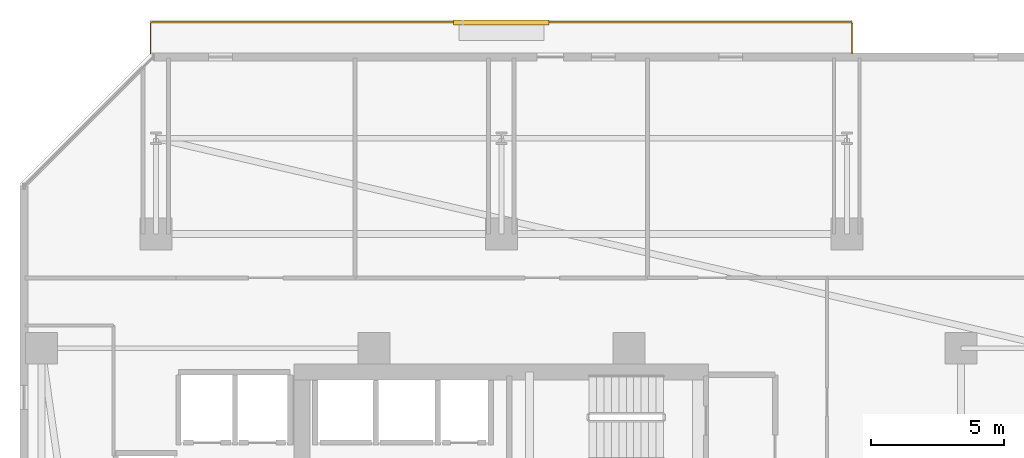
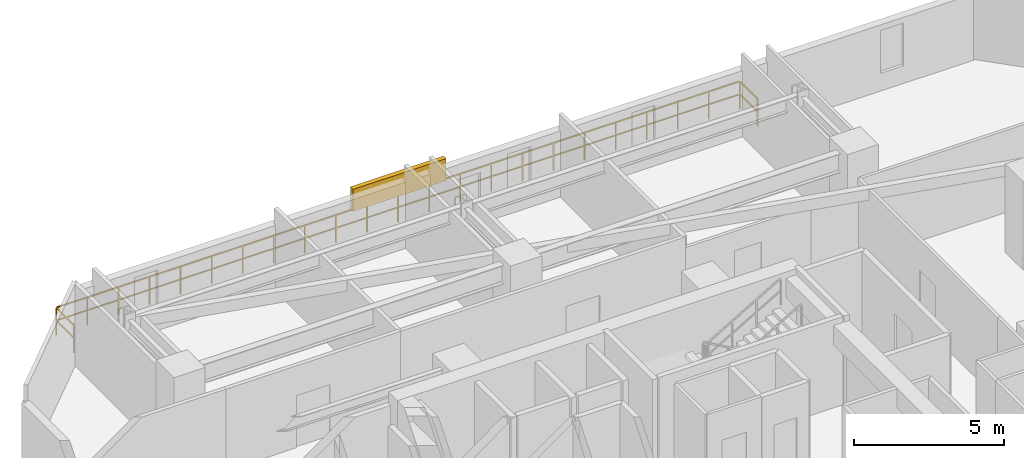
# One storey, part 29 of 31: 1 railing, 1 shading device.
"""IFC4 building model written with IfcOpenShell, lengths in metres."""

from ifc_helpers import new_model, si_unit, direction, frame, origin, origin_2d, place, context, subcontext, project, spatial, rectangle, extrude, material, type_object, element, save


model = new_model("IFC4")

# Units and contexts
model_context = context("Model", 3, precision=1e-05, world=origin(), true_north=direction((0.0, 1.0)))
body_context = subcontext(model_context, "Body", "Model", "MODEL_VIEW")
ifc_project = project(units=[si_unit("LENGTHUNIT", "METRE"), si_unit("AREAUNIT", "SQUARE_METRE"), si_unit("VOLUMEUNIT", "CUBIC_METRE"), si_unit("PLANEANGLEUNIT", "RADIAN"), si_unit("MASSUNIT", "GRAM", prefix="KILO")], contexts=[model_context])

# Site, building, storey
site_placement = place(None, origin())
site = spatial("IfcSite", under=ifc_project, at=site_placement, CompositionType="ELEMENT")
building_placement = place(site_placement, origin())
building = spatial("IfcBuilding", under=site, at=building_placement, Name="Thornwick Lancets Civic Towers", CompositionType="ELEMENT")
storey_placement = place(building_placement, frame((0.0, 0.0, 90.89990234375)))
storey = spatial("IfcBuildingStorey", under=building, at=storey_placement, Name="L23", CompositionType="ELEMENT", Elevation=90.89990234375)

# Railing
ifc_material_1 = material(Name="Terracotta-capped laminated glass balustrade S355", Category="masonry")
railing_type = type_object("IfcRailingType", Name="RAIL_TERR_GUARD", PredefinedType="GUARDRAIL", material=ifc_material_1)
railing_placement = place(storey_placement, frame((12.300048828125, 51.10009765625, 0.0)))
element("IfcRailing", 1, at=railing_placement, inside=storey, type_object=railing_type, Name="L23 Tower A Balcony Guard N", PredefinedType="GUARDRAIL", context=body_context, shape_type="SweptSolid", body=[
    extrude(rectangle(XDim=0.048095703125, YDim=0.048095703125, at=origin_2d()), frame((0.0, 0.0, 1.1259765625), z_axis=(0.0, 1.0, 0.0), x_axis=(-1.0, 0.0, 0.0)), (0.0, 0.0, 1.0), 1.138671875),
    extrude(rectangle(XDim=0.0419921875, YDim=0.0419921875, at=origin_2d()), frame((0.0, 0.03759765625, 0.597900390625), z_axis=(0.0, 1.0, 0.0), x_axis=(-1.0, 0.0, 0.0)), (0.0, 0.0, 1.0), 1.094970703125),
    extrude(rectangle(XDim=0.048095703125, YDim=0.048095703125, at=origin_2d()), frame((0.03125, 1.169921875, 1.1259765625), z_axis=(1.0, 0.0, 0.0), x_axis=(0.0, 1.0, 0.0)), (0.0, 0.0, 1.0), 26.33740234375),
    extrude(rectangle(XDim=0.0419921875, YDim=0.0419921875, at=origin_2d()), frame((0.03759765625, 1.169921875, 0.597900390625), z_axis=(1.0, 0.0, 0.0), x_axis=(0.0, 1.0, 0.0)), (0.0, 0.0, 1.0), 1.125),
    extrude(rectangle(XDim=0.0419921875, YDim=0.0419921875, at=origin_2d()), frame((1.237548828125, 1.169921875, 0.597900390625), z_axis=(1.0, 0.0, 0.0), x_axis=(0.0, 1.0, 0.0)), (0.0, 0.0, 1.0), 1.125),
    extrude(rectangle(XDim=0.0419921875, YDim=0.0419921875, at=origin_2d()), frame((2.4375, 1.169921875, 0.597900390625), z_axis=(1.0, 0.0, 0.0), x_axis=(0.0, 1.0, 0.0)), (0.0, 0.0, 1.0), 1.125),
    extrude(rectangle(XDim=0.0419921875, YDim=0.0419921875, at=origin_2d()), frame((3.637451171875, 1.169921875, 0.597900390625), z_axis=(1.0, 0.0, 0.0), x_axis=(0.0, 1.0, 0.0)), (0.0, 0.0, 1.0), 1.125),
    extrude(rectangle(XDim=0.0419921875, YDim=0.0419921875, at=origin_2d()), frame((4.83740234375, 1.169921875, 0.597900390625), z_axis=(1.0, 0.0, 0.0), x_axis=(0.0, 1.0, 0.0)), (0.0, 0.0, 1.0), 1.125),
    extrude(rectangle(XDim=0.0419921875, YDim=0.0419921875, at=origin_2d()), frame((6.037353515625, 1.169921875, 0.597900390625), z_axis=(1.0, 0.0, 0.0), x_axis=(0.0, 1.0, 0.0)), (0.0, 0.0, 1.0), 1.125),
    extrude(rectangle(XDim=0.0419921875, YDim=0.0419921875, at=origin_2d()), frame((7.237548828125, 1.169921875, 0.597900390625), z_axis=(1.0, 0.0, 0.0), x_axis=(0.0, 1.0, 0.0)), (0.0, 0.0, 1.0), 1.125),
    extrude(rectangle(XDim=0.0419921875, YDim=0.0419921875, at=origin_2d()), frame((8.4375, 1.169921875, 0.597900390625), z_axis=(1.0, 0.0, 0.0), x_axis=(0.0, 1.0, 0.0)), (0.0, 0.0, 1.0), 1.125),
    extrude(rectangle(XDim=0.0419921875, YDim=0.0419921875, at=origin_2d()), frame((9.637451171875, 1.169921875, 0.597900390625), z_axis=(1.0, 0.0, 0.0), x_axis=(0.0, 1.0, 0.0)), (0.0, 0.0, 1.0), 1.125),
    extrude(rectangle(XDim=0.0419921875, YDim=0.0419921875, at=origin_2d()), frame((10.83740234375, 1.169921875, 0.597900390625), z_axis=(1.0, 0.0, 0.0), x_axis=(0.0, 1.0, 0.0)), (0.0, 0.0, 1.0), 1.125),
    extrude(rectangle(XDim=0.0419921875, YDim=0.0419921875, at=origin_2d()), frame((12.037353515625, 1.169921875, 0.597900390625), z_axis=(1.0, 0.0, 0.0), x_axis=(0.0, 1.0, 0.0)), (0.0, 0.0, 1.0), 1.125),
    extrude(rectangle(XDim=0.0419921875, YDim=0.0419921875, at=origin_2d()), frame((13.237548828125, 1.169921875, 0.597900390625), z_axis=(1.0, 0.0, 0.0), x_axis=(0.0, 1.0, 0.0)), (0.0, 0.0, 1.0), 1.125),
    extrude(rectangle(XDim=0.0419921875, YDim=0.0419921875, at=origin_2d()), frame((14.4375, 1.169921875, 0.597900390625), z_axis=(1.0, 0.0, 0.0), x_axis=(0.0, 1.0, 0.0)), (0.0, 0.0, 1.0), 1.125),
    extrude(rectangle(XDim=0.0419921875, YDim=0.0419921875, at=origin_2d()), frame((15.637451171875, 1.169921875, 0.597900390625), z_axis=(1.0, 0.0, 0.0), x_axis=(0.0, 1.0, 0.0)), (0.0, 0.0, 1.0), 1.125),
    extrude(rectangle(XDim=0.0419921875, YDim=0.0419921875, at=origin_2d()), frame((16.83740234375, 1.169921875, 0.597900390625), z_axis=(1.0, 0.0, 0.0), x_axis=(0.0, 1.0, 0.0)), (0.0, 0.0, 1.0), 1.125),
    extrude(rectangle(XDim=0.0419921875, YDim=0.0419921875, at=origin_2d()), frame((18.037353515625, 1.169921875, 0.597900390625), z_axis=(1.0, 0.0, 0.0), x_axis=(0.0, 1.0, 0.0)), (0.0, 0.0, 1.0), 1.125),
    extrude(rectangle(XDim=0.0419921875, YDim=0.0419921875, at=origin_2d()), frame((19.2373046875, 1.169921875, 0.597900390625), z_axis=(1.0, 0.0, 0.0), x_axis=(0.0, 1.0, 0.0)), (0.0, 0.0, 1.0), 1.125),
    extrude(rectangle(XDim=0.0419921875, YDim=0.0419921875, at=origin_2d()), frame((20.4375, 1.169921875, 0.597900390625), z_axis=(1.0, 0.0, 0.0), x_axis=(0.0, 1.0, 0.0)), (0.0, 0.0, 1.0), 1.125),
    extrude(rectangle(XDim=0.0419921875, YDim=0.0419921875, at=origin_2d()), frame((21.637451171875, 1.169921875, 0.597900390625), z_axis=(1.0, 0.0, 0.0), x_axis=(0.0, 1.0, 0.0)), (0.0, 0.0, 1.0), 1.125),
    extrude(rectangle(XDim=0.0419921875, YDim=0.0419921875, at=origin_2d()), frame((22.83740234375, 1.169921875, 0.597900390625), z_axis=(1.0, 0.0, 0.0), x_axis=(0.0, 1.0, 0.0)), (0.0, 0.0, 1.0), 1.125),
    extrude(rectangle(XDim=0.0419921875, YDim=0.0419921875, at=origin_2d()), frame((24.037353515625, 1.169921875, 0.597900390625), z_axis=(1.0, 0.0, 0.0), x_axis=(0.0, 1.0, 0.0)), (0.0, 0.0, 1.0), 1.125),
    extrude(rectangle(XDim=0.0419921875, YDim=0.0419921875, at=origin_2d()), frame((25.2373046875, 1.169921875, 0.597900390625), z_axis=(1.0, 0.0, 0.0), x_axis=(0.0, 1.0, 0.0)), (0.0, 0.0, 1.0), 1.125),
    extrude(rectangle(XDim=0.048095703125, YDim=0.048095703125, at=origin_2d()), frame((26.39990234375, 1.138671875, 1.1259765625), z_axis=(0.0, -1.0, 0.0), x_axis=(1.0, 0.0, 0.0)), (0.0, 0.0, 1.0), 1.138671875),
    extrude(rectangle(XDim=0.0419921875, YDim=0.0419921875, at=origin_2d()), frame((26.39990234375, 1.13232421875, 0.597900390625), z_axis=(0.0, -1.0, 0.0), x_axis=(1.0, 0.0, 0.0)), (0.0, 0.0, 1.0), 1.094970703125),
    extrude(rectangle(XDim=0.0419921875, YDim=0.0419921875, at=origin_2d()), origin(), (0.0, 0.0, 1.0), 1.095703125),
    extrude(rectangle(XDim=0.0419921875, YDim=0.0419921875, at=origin_2d()), frame((0.0, 1.169921875, 0.0)), (0.0, 0.0, 1.0), 1.095703125),
    extrude(rectangle(XDim=0.0419921875, YDim=0.0419921875, at=origin_2d()), frame((1.199951171875, 1.169921875, 0.0)), (0.0, 0.0, 1.0), 1.095703125),
    extrude(rectangle(XDim=0.0419921875, YDim=0.0419921875, at=origin_2d()), frame((2.39990234375, 1.169921875, 0.0)), (0.0, 0.0, 1.0), 1.095703125),
    extrude(rectangle(XDim=0.0419921875, YDim=0.0419921875, at=origin_2d()), frame((3.60009765625, 1.169921875, 0.0)), (0.0, 0.0, 1.0), 1.095703125),
    extrude(rectangle(XDim=0.0419921875, YDim=0.0419921875, at=origin_2d()), frame((4.800048828125, 1.169921875, 0.0)), (0.0, 0.0, 1.0), 1.095703125),
    extrude(rectangle(XDim=0.0419921875, YDim=0.0419921875, at=origin_2d()), frame((6.0, 1.169921875, 0.0)), (0.0, 0.0, 1.0), 1.095703125),
    extrude(rectangle(XDim=0.0419921875, YDim=0.0419921875, at=origin_2d()), frame((7.199951171875, 1.169921875, 0.0)), (0.0, 0.0, 1.0), 1.095703125),
    extrude(rectangle(XDim=0.0419921875, YDim=0.0419921875, at=origin_2d()), frame((8.39990234375, 1.169921875, 0.0)), (0.0, 0.0, 1.0), 1.095703125),
    extrude(rectangle(XDim=0.0419921875, YDim=0.0419921875, at=origin_2d()), frame((9.599853515625, 1.169921875, 0.0)), (0.0, 0.0, 1.0), 1.095703125),
    extrude(rectangle(XDim=0.0419921875, YDim=0.0419921875, at=origin_2d()), frame((10.800048828125, 1.169921875, 0.0)), (0.0, 0.0, 1.0), 1.095703125),
    extrude(rectangle(XDim=0.0419921875, YDim=0.0419921875, at=origin_2d()), frame((12.0, 1.169921875, 0.0)), (0.0, 0.0, 1.0), 1.095703125),
    extrude(rectangle(XDim=0.0419921875, YDim=0.0419921875, at=origin_2d()), frame((13.199951171875, 1.169921875, 0.0)), (0.0, 0.0, 1.0), 1.095703125),
    extrude(rectangle(XDim=0.0419921875, YDim=0.0419921875, at=origin_2d()), frame((14.39990234375, 1.169921875, 0.0)), (0.0, 0.0, 1.0), 1.095703125),
    extrude(rectangle(XDim=0.0419921875, YDim=0.0419921875, at=origin_2d()), frame((15.599853515625, 1.169921875, 0.0)), (0.0, 0.0, 1.0), 1.095703125),
    extrude(rectangle(XDim=0.0419921875, YDim=0.0419921875, at=origin_2d()), frame((16.800048828125, 1.169921875, 0.0)), (0.0, 0.0, 1.0), 1.095703125),
    extrude(rectangle(XDim=0.0419921875, YDim=0.0419921875, at=origin_2d()), frame((18.0, 1.169921875, 0.0)), (0.0, 0.0, 1.0), 1.095703125),
    extrude(rectangle(XDim=0.0419921875, YDim=0.0419921875, at=origin_2d()), frame((19.199951171875, 1.169921875, 0.0)), (0.0, 0.0, 1.0), 1.095703125),
    extrude(rectangle(XDim=0.0419921875, YDim=0.0419921875, at=origin_2d()), frame((20.39990234375, 1.169921875, 0.0)), (0.0, 0.0, 1.0), 1.095703125),
    extrude(rectangle(XDim=0.0419921875, YDim=0.0419921875, at=origin_2d()), frame((21.599853515625, 1.169921875, 0.0)), (0.0, 0.0, 1.0), 1.095703125),
    extrude(rectangle(XDim=0.0419921875, YDim=0.0419921875, at=origin_2d()), frame((22.7998046875, 1.169921875, 0.0)), (0.0, 0.0, 1.0), 1.095703125),
    extrude(rectangle(XDim=0.0419921875, YDim=0.0419921875, at=origin_2d()), frame((24.0, 1.169921875, 0.0)), (0.0, 0.0, 1.0), 1.095703125),
    extrude(rectangle(XDim=0.0419921875, YDim=0.0419921875, at=origin_2d()), frame((25.199951171875, 1.169921875, 0.0)), (0.0, 0.0, 1.0), 1.095703125),
    extrude(rectangle(XDim=0.0419921875, YDim=0.0419921875, at=origin_2d()), frame((26.39990234375, 1.169921875, 0.0)), (0.0, 0.0, 1.0), 1.095703125),
    extrude(rectangle(XDim=0.0419921875, YDim=0.0419921875, at=origin_2d()), frame((26.39990234375, 0.0, 0.0)), (0.0, 0.0, 1.0), 1.095703125),
])

# Shading device
ifc_material_2 = material(Name="Extruded terracotta baguette solar screen", Category="masonry")
shading_device_type = type_object("IfcShadingDeviceType", Name="SHADE_BAGUETTE", PredefinedType="JALOUSIE", material=ifc_material_2)
shading_device_placement = place(storey_placement, frame((25.5, 52.260009765625, 1.1201171875), z_axis=(0.0, 0.0, 1.0), x_axis=(1.0, 0.0, 0.0)))
element("IfcShadingDevice", 2, at=shading_device_placement, inside=storey, type_object=shading_device_type, Name="L23 Tower A Terracotta Baguette Screen N", PredefinedType="JALOUSIE", context=body_context, shape_type="SweptSolid", body=[
    extrude(rectangle(XDim=3.60009765625, YDim=0.179931640625, at=origin_2d()), origin(), (0.0, 0.0, 1.0), 0.89990234375),
])

save(model, "model.ifc")
